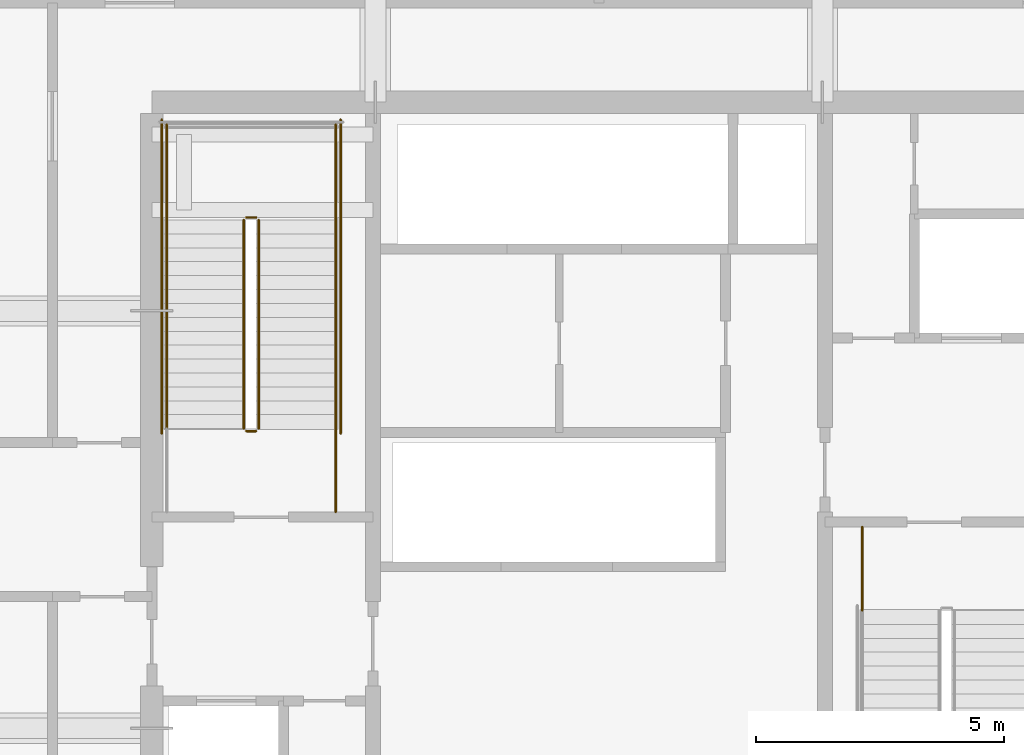
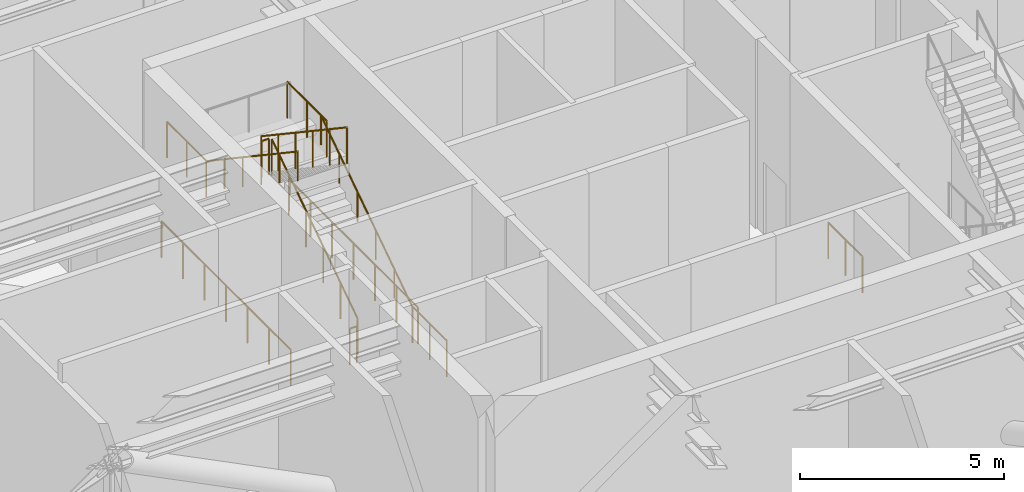
# One storey, part 19 of 21: 12 railings.
"""IFC4 building model written with IfcOpenShell, lengths in metres."""

from ifc_helpers import new_model, si_unit, direction, frame, origin, origin_2d, place, context, subcontext, project, spatial, circle, extrude, material, type_object, element, save


model = new_model("IFC4")

# Units and contexts
model_context = context("Model", 3, precision=1e-05, world=origin(), true_north=direction((0.0, 1.0)))
body_context = subcontext(model_context, "Body", "Model", "MODEL_VIEW")
ifc_project = project(units=[si_unit("LENGTHUNIT", "METRE"), si_unit("AREAUNIT", "SQUARE_METRE"), si_unit("VOLUMEUNIT", "CUBIC_METRE"), si_unit("PLANEANGLEUNIT", "RADIAN"), si_unit("MASSUNIT", "GRAM", prefix="KILO")], contexts=[model_context])

# Site, building, storey
site_placement = place(None, origin())
site = spatial("IfcSite", under=ifc_project, at=site_placement, CompositionType="ELEMENT")
building_placement = place(site_placement, origin())
building = spatial("IfcBuilding", under=site, at=building_placement, Name="Serunith Strait Residences", CompositionType="ELEMENT")
storey_placement = place(building_placement, frame((0.0, 0.0, 109.199951171875)))
storey = spatial("IfcBuildingStorey", under=building, at=storey_placement, Name="L27", CompositionType="ELEMENT", Elevation=109.199951171875)

# Railings
ifc_material = material(Name="Brushed stainless steel 316L", Category="steel")
railing_type_1 = type_object("IfcRailingType", Name="RLG-STAIR-GUARD", PredefinedType="BALUSTRADE", material=ifc_material)
railing_1_placement = place(storey_placement, frame((25.550048828125, 27.030029296875, 0.1875)))
element("IfcRailing", 1, at=railing_1_placement, inside=storey, type_object=railing_type_1, Name="L27 ST-1 stair guard 1", PredefinedType="BALUSTRADE", context=body_context, shape_type="SweptSolid", body=[
    extrude(circle(Radius=0.02392578125, at=origin_2d()), frame((0.0, 0.001708984375, 1.0771484375), z_axis=(0.0, 0.830904186295, 0.556415522067), x_axis=(-1.0, 0.0, 0.0)), (0.0, 0.0, 1.0), 5.05078125),
    extrude(circle(Radius=0.02099609375, at=origin_2d()), origin(), (0.0, 0.0, 1.0), 1.050048828125),
    extrude(circle(Radius=0.02099609375, at=origin_2d()), frame((0.0, 0.840087890625, 0.5625)), (0.0, 0.0, 1.0), 1.050048828125),
    extrude(circle(Radius=0.02099609375, at=origin_2d()), frame((0.0, 1.679931640625, 1.125)), (0.0, 0.0, 1.0), 1.050048828125),
    extrude(circle(Radius=0.02099609375, at=origin_2d()), frame((0.0, 2.52001953125, 1.6875)), (0.0, 0.0, 1.0), 1.050048828125),
    extrude(circle(Radius=0.02099609375, at=origin_2d()), frame((0.0, 3.35986328125, 2.25)), (0.0, 0.0, 1.0), 1.050048828125),
    extrude(circle(Radius=0.02099609375, at=origin_2d()), frame((0.0, 4.199951171875, 2.8125)), (0.0, 0.0, 1.0), 1.050048828125),
])
railing_2_placement = place(storey_placement, frame((25.5, 31.280029296875, 3.0)))
element("IfcRailing", 2, at=railing_2_placement, inside=storey, type_object=railing_type_1, Name="L27 ST-1 stair guard 2", PredefinedType="BALUSTRADE", context=body_context, shape_type="SweptSolid", body=[
    extrude(circle(Radius=0.02392578125, at=origin_2d()), frame((-0.001953125, 0.0, 1.076171875), z_axis=(-1.0, 0.0, 0.0), x_axis=(0.0, -1.0, 0.0)), (0.0, 0.0, 1.0), 0.196044921875),
    extrude(circle(Radius=0.02099609375, at=origin_2d()), origin(), (0.0, 0.0, 1.0), 1.050048828125),
    extrude(circle(Radius=0.02099609375, at=origin_2d()), frame((-0.199951171875, 0.0, 0.0)), (0.0, 0.0, 1.0), 1.050048828125),
])
for number, where, name in (
    (3, (27.10009765625, 31.22998046875, 3.0), "L27 ST-1 stair guard 3"),
    (4, (23.699951171875, 31.22998046875, 3.0), "L27 ST-1 stair guard 4"),
):
    element("IfcRailing", number, at=place(storey_placement, frame(where)), inside=storey, type_object=railing_type_1, Name=name, PredefinedType="BALUSTRADE", context=body_context, shape_type="SweptSolid", body=[
        extrude(circle(Radius=0.02392578125, at=origin_2d()), frame((0.0, 0.001953125, 1.076171875), z_axis=(0.0, 1.0, 0.0), x_axis=(-1.0, 0.0, 0.0)), (0.0, 0.0, 1.0), 1.916015625),
        extrude(circle(Radius=0.02099609375, at=origin_2d()), origin(), (0.0, 0.0, 1.0), 1.050048828125),
        extrude(circle(Radius=0.02099609375, at=origin_2d()), frame((0.0, 0.9599609375, 0.0)), (0.0, 0.0, 1.0), 1.050048828125),
        extrude(circle(Radius=0.02099609375, at=origin_2d()), frame((0.0, 1.919921875, 0.0)), (0.0, 0.0, 1.0), 1.050048828125),
    ])
railing_3_placement = place(storey_placement, frame((25.25, 31.22998046875, 3.1875)))
element("IfcRailing", 5, at=railing_3_placement, inside=storey, type_object=railing_type_1, Name="L27 ST-1 stair guard 6", PredefinedType="BALUSTRADE", context=body_context, shape_type="SweptSolid", body=[
    extrude(circle(Radius=0.02392578125, at=origin_2d()), frame((0.0, -0.001708984375, 1.0771484375), z_axis=(0.0, -0.830904186295, 0.556415522067), x_axis=(1.0, 0.0, 0.0)), (0.0, 0.0, 1.0), 5.05078125),
    extrude(circle(Radius=0.02099609375, at=origin_2d()), origin(), (0.0, 0.0, 1.0), 1.050048828125),
    extrude(circle(Radius=0.02099609375, at=origin_2d()), frame((0.0, -0.840087890625, 0.5625)), (0.0, 0.0, 1.0), 1.050048828125),
    extrude(circle(Radius=0.02099609375, at=origin_2d()), frame((0.0, -1.679931640625, 1.125)), (0.0, 0.0, 1.0), 1.050048828125),
    extrude(circle(Radius=0.02099609375, at=origin_2d()), frame((0.0, -2.52001953125, 1.6875)), (0.0, 0.0, 1.0), 1.050048828125),
    extrude(circle(Radius=0.02099609375, at=origin_2d()), frame((0.0, -3.35986328125, 2.25)), (0.0, 0.0, 1.0), 1.050048828125),
    extrude(circle(Radius=0.02099609375, at=origin_2d()), frame((0.0, -4.199951171875, 2.8125)), (0.0, 0.0, 1.0), 1.050048828125),
])
railing_4_placement = place(storey_placement, frame((25.5, 26.97998046875, 0.0)))
element("IfcRailing", 6, at=railing_4_placement, inside=storey, type_object=railing_type_1, Name="L27 ST-1 stair guard 7", PredefinedType="BALUSTRADE", context=body_context, shape_type="SweptSolid", body=[
    extrude(circle(Radius=0.02392578125, at=origin_2d()), frame((-0.001953125, 0.0, 1.076171875), z_axis=(-1.0, 0.0, 0.0), x_axis=(0.0, -1.0, 0.0)), (0.0, 0.0, 1.0), 0.196044921875),
    extrude(circle(Radius=0.02099609375, at=origin_2d()), origin(), (0.0, 0.0, 1.0), 1.050048828125),
    extrude(circle(Radius=0.02099609375, at=origin_2d()), frame((-0.199951171875, 0.0, 0.0)), (0.0, 0.0, 1.0), 1.050048828125),
])
railing_5_placement = place(storey_placement, frame((27.10009765625, 25.35009765625, 0.0)))
element("IfcRailing", 7, at=railing_5_placement, inside=storey, type_object=railing_type_1, Name="L27 ST-1 stair guard 8", PredefinedType="BALUSTRADE", context=body_context, shape_type="SweptSolid", body=[
    extrude(circle(Radius=0.02392578125, at=origin_2d()), frame((0.0, 0.001953125, 1.076171875), z_axis=(0.0, 1.0, 0.0), x_axis=(-1.0, 0.0, 0.0)), (0.0, 0.0, 1.0), 1.676025390625),
    extrude(circle(Radius=0.02099609375, at=origin_2d()), origin(), (0.0, 0.0, 1.0), 1.050048828125),
    extrude(circle(Radius=0.02099609375, at=origin_2d()), frame((0.0, 0.83984375, 0.0)), (0.0, 0.0, 1.0), 1.050048828125),
    extrude(circle(Radius=0.02099609375, at=origin_2d()), frame((0.0, 1.679931640625, 0.0)), (0.0, 0.0, 1.0), 1.050048828125),
])
for number, where, name in (
    (8, (27.199951171875, 26.929931640625, 0.0), "L27 ST-1 stair guard 10"),
    (9, (23.60009765625, 26.929931640625, 0.0), "L27 ST-1 stair guard 11"),
):
    element("IfcRailing", number, at=place(storey_placement, frame(where)), inside=storey, type_object=railing_type_1, Name=name, PredefinedType="BALUSTRADE", context=body_context, shape_type="SweptSolid", body=[
        extrude(circle(Radius=0.02392578125, at=origin_2d()), frame((0.0, 0.001953125, 1.076171875), z_axis=(0.0, 1.0, 0.0), x_axis=(-1.0, 0.0, 0.0)), (0.0, 0.0, 1.0), 6.316162109375),
        extrude(circle(Radius=0.02099609375, at=origin_2d()), origin(), (0.0, 0.0, 1.0), 1.050048828125),
        extrude(circle(Radius=0.02099609375, at=origin_2d()), frame((0.0, 1.05322265625, 0.0)), (0.0, 0.0, 1.0), 1.050048828125),
        extrude(circle(Radius=0.02099609375, at=origin_2d()), frame((0.0, 2.106689453125, 0.0)), (0.0, 0.0, 1.0), 1.050048828125),
        extrude(circle(Radius=0.02099609375, at=origin_2d()), frame((0.0, 3.16015625, 0.0)), (0.0, 0.0, 1.0), 1.050048828125),
        extrude(circle(Radius=0.02099609375, at=origin_2d()), frame((0.0, 4.21337890625, 0.0)), (0.0, 0.0, 1.0), 1.050048828125),
        extrude(circle(Radius=0.02099609375, at=origin_2d()), frame((0.0, 5.2666015625, 0.0)), (0.0, 0.0, 1.0), 1.050048828125),
        extrude(circle(Radius=0.02099609375, at=origin_2d()), frame((0.0, 6.320068359375, 0.0)), (0.0, 0.0, 1.0), 1.050048828125),
    ])
railing_6_placement = place(storey_placement, frame((37.699951171875, 25.050048828125, 0.0)))
element("IfcRailing", 10, at=railing_6_placement, inside=storey, type_object=railing_type_1, Name="L27 ST-2 stair guard 8", PredefinedType="BALUSTRADE", context=body_context, shape_type="SweptSolid", body=[
    extrude(circle(Radius=0.02392578125, at=origin_2d()), frame((0.0, -0.001953125, 1.076171875), z_axis=(0.0, -1.0, 0.0), x_axis=(1.0, 0.0, 0.0)), (0.0, 0.0, 1.0), 1.676025390625),
    extrude(circle(Radius=0.02099609375, at=origin_2d()), origin(), (0.0, 0.0, 1.0), 1.050048828125),
    extrude(circle(Radius=0.02099609375, at=origin_2d()), frame((0.0, -0.83984375, 0.0)), (0.0, 0.0, 1.0), 1.050048828125),
    extrude(circle(Radius=0.02099609375, at=origin_2d()), frame((0.0, -1.679931640625, 0.0)), (0.0, 0.0, 1.0), 1.050048828125),
])
railing_type_2 = type_object("IfcRailingType", Name="RLG-STAIR-HR", PredefinedType="HANDRAIL", material=ifc_material)
railing_7_placement = place(storey_placement, frame((27.10009765625, 27.030029296875, 0.1875)))
element("IfcRailing", 11, at=railing_7_placement, inside=storey, type_object=railing_type_2, Name="L27 ST-1 stair handrail 1", PredefinedType="HANDRAIL", context=body_context, shape_type="SweptSolid", body=[
    extrude(circle(Radius=0.02392578125, at=origin_2d()), frame((0.0, 0.001708984375, 0.876953125), z_axis=(0.0, 0.830466402242, 0.55706871636), x_axis=(-1.0, 0.0, 0.0)), (0.0, 0.0, 1.0), 5.390625),
    extrude(circle(Radius=0.02099609375, at=origin_2d()), origin(), (0.0, 0.0, 1.0), 0.849853515625),
    extrude(circle(Radius=0.02099609375, at=origin_2d()), frame((0.0, 0.89599609375, 0.60107421875)), (0.0, 0.0, 1.0), 0.849853515625),
    extrude(circle(Radius=0.02099609375, at=origin_2d()), frame((0.0, 1.7919921875, 1.2021484375)), (0.0, 0.0, 1.0), 0.849853515625),
    extrude(circle(Radius=0.02099609375, at=origin_2d()), frame((0.0, 2.68798828125, 1.802978515625)), (0.0, 0.0, 1.0), 0.849853515625),
    extrude(circle(Radius=0.02099609375, at=origin_2d()), frame((0.0, 3.583984375, 2.404052734375)), (0.0, 0.0, 1.0), 0.849853515625),
    extrude(circle(Radius=0.02099609375, at=origin_2d()), frame((0.0, 4.47998046875, 3.005126953125)), (0.0, 0.0, 1.0), 0.849853515625),
])
railing_8_placement = place(storey_placement, frame((23.699951171875, 31.22998046875, 3.1875)))
element("IfcRailing", 12, at=railing_8_placement, inside=storey, type_object=railing_type_2, Name="L27 ST-1 stair handrail 2", PredefinedType="HANDRAIL", context=body_context, shape_type="SweptSolid", body=[
    extrude(circle(Radius=0.02392578125, at=origin_2d()), frame((0.0, -0.001708984375, 0.876953125), z_axis=(0.0, -0.830466402242, 0.55706871636), x_axis=(1.0, 0.0, 0.0)), (0.0, 0.0, 1.0), 5.390625),
    extrude(circle(Radius=0.02099609375, at=origin_2d()), origin(), (0.0, 0.0, 1.0), 0.849853515625),
    extrude(circle(Radius=0.02099609375, at=origin_2d()), frame((0.0, -0.89599609375, 0.60107421875)), (0.0, 0.0, 1.0), 0.849853515625),
    extrude(circle(Radius=0.02099609375, at=origin_2d()), frame((0.0, -1.7919921875, 1.2021484375)), (0.0, 0.0, 1.0), 0.849853515625),
    extrude(circle(Radius=0.02099609375, at=origin_2d()), frame((0.0, -2.68798828125, 1.802978515625)), (0.0, 0.0, 1.0), 0.849853515625),
    extrude(circle(Radius=0.02099609375, at=origin_2d()), frame((0.0, -3.583984375, 2.404052734375)), (0.0, 0.0, 1.0), 0.849853515625),
    extrude(circle(Radius=0.02099609375, at=origin_2d()), frame((0.0, -4.47998046875, 3.005126953125)), (0.0, 0.0, 1.0), 0.849853515625),
])

save(model, "model.ifc")
